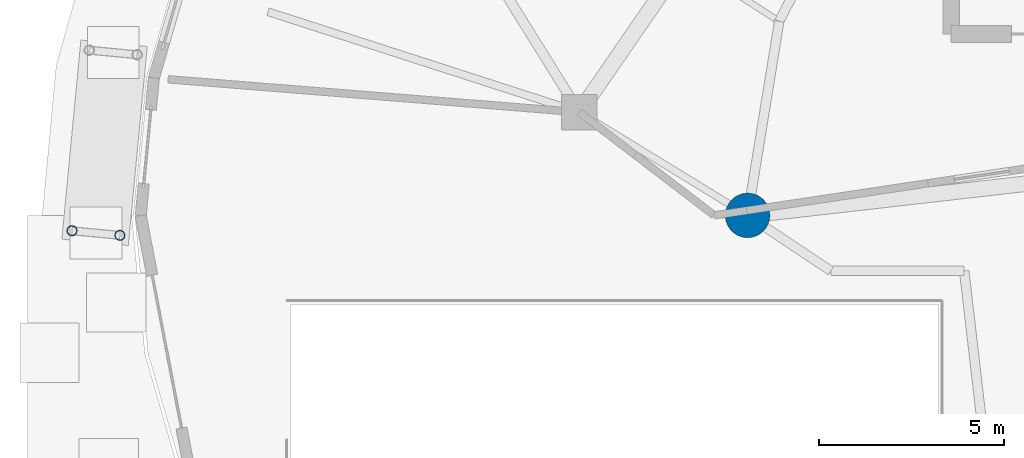
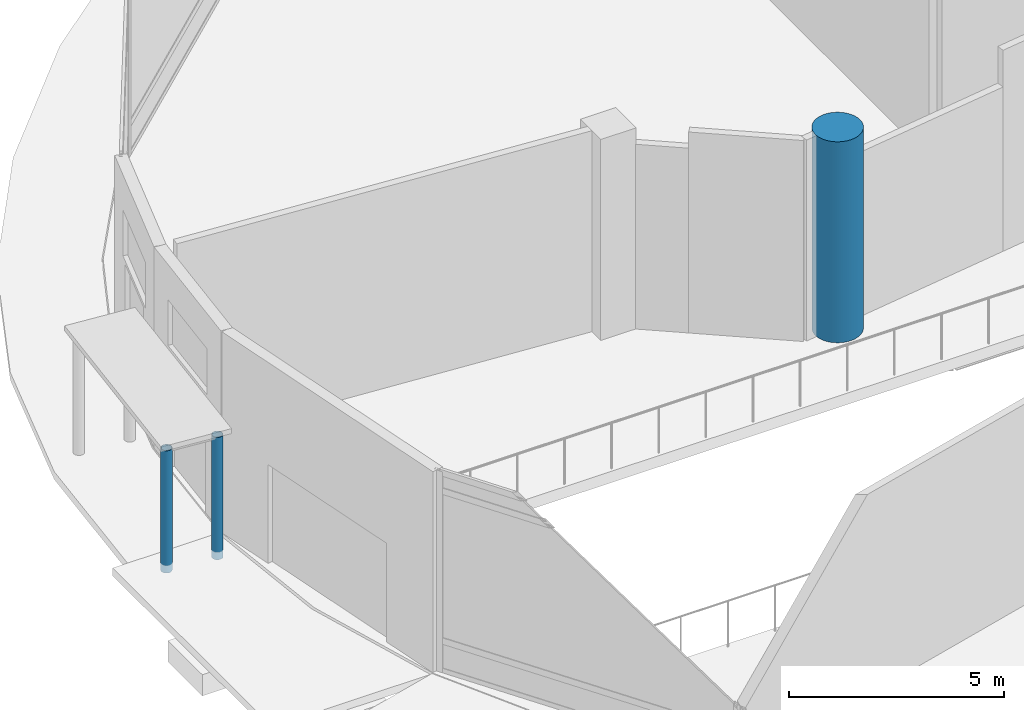
# One storey, part 2 of 40: 3 columns.
"""IFC4 building model written with IfcOpenShell, lengths in metres."""

from ifc_helpers import new_model, si_unit, direction, frame, origin, origin_2d, place, context, subcontext, project, spatial, circle, hollow_circle, extrude, material, material_profile, profile_set, type_object, element, save


model = new_model("IFC4")

# Units and contexts
model_context = context("Model", 3, precision=1e-05, world=origin(), true_north=direction((0.0, 1.0)))
body_context = subcontext(model_context, "Body", "Model", "MODEL_VIEW")
ifc_project = project(units=[si_unit("LENGTHUNIT", "METRE"), si_unit("AREAUNIT", "SQUARE_METRE"), si_unit("VOLUMEUNIT", "CUBIC_METRE"), si_unit("PLANEANGLEUNIT", "RADIAN"), si_unit("MASSUNIT", "GRAM", prefix="KILO")], contexts=[model_context])

# Site, building, storey
site_placement = place(None, origin())
site = spatial("IfcSite", under=ifc_project, at=site_placement, CompositionType="ELEMENT")
building_placement = place(site_placement, origin())
building = spatial("IfcBuilding", under=site, at=building_placement, Name="Nuhasar Tower", CompositionType="ELEMENT")
storey_placement = place(building_placement, origin())
storey = spatial("IfcBuildingStorey", under=building, at=storey_placement, Name="L00", CompositionType="ELEMENT", Elevation=0.0)

# Columns
ifc_material_1 = material(Name="Concrete C80/95", Category="concrete")
ifc_material_profile_1 = material_profile(ifc_material_1, circle(Radius=0.60009765625, at=origin_2d()), Name="CFT1200")
ifc_profile_set_1 = profile_set([ifc_material_profile_1], Name="Concrete C80/95")
column_type_1 = type_object("IfcColumnType", Name="COL-CFT-1200", PredefinedType="COLUMN", material=ifc_profile_set_1)
column_placement = place(storey_placement, frame((13.949951171875, 26.800048828125, 0.0), z_axis=(0.0, 0.0, 1.0), x_axis=(1.0, 0.0, 0.0)))
element("IfcColumn", 1, at=column_placement, inside=storey, type_object=column_type_1, Name="L00 Perimeter Composite Column TC-13", PredefinedType="COLUMN", context=body_context, shape_type="SweptSolid", body=[
    extrude(circle(Radius=0.60009765625, at=origin_2d()), origin(), (0.0, 0.0, 1.0), 5.699951171875),
])
ifc_material_2 = material(Name="Steel S460", Category="steel")
ifc_material_profile_2 = material_profile(ifc_material_2, hollow_circle(Radius=0.136474609375, WallThickness=0.0126953125, at=origin_2d()), Name="HSS273.1X12.7")
ifc_profile_set_2 = profile_set([ifc_material_profile_2], Name="Steel S460")
column_type_2 = type_object("IfcColumnType", Name="COL-CNP-273", PredefinedType="COLUMN", material=ifc_profile_set_2)
for number, where, z_axis, x_axis, name in (
    (2, (-3.001953125, 26.260986328125, -0.219970703125), (0.0, 0.0, 1.0), (1.0, 0.0, 0.0), "L00 Canopy Inner Post NorthWest 2"),
    (3, (-4.2958984375, 26.385009765625, -0.219970703125), (0.0, 0.0, 1.0), (1.0, 0.0, 0.0), "L00 Canopy Outer Post NorthWest 2"),
):
    element("IfcColumn", number, at=place(storey_placement, frame(where, z_axis=z_axis, x_axis=x_axis)), inside=storey, type_object=column_type_2, Name=name, PredefinedType="COLUMN", context=body_context, shape_type="SweptSolid", body=[
        extrude(hollow_circle(Radius=0.136474609375, WallThickness=0.0126953125, at=origin_2d()), origin(), (0.0, 0.0, 1.0), 3.469970703125),
    ])

save(model, "model.ifc")
